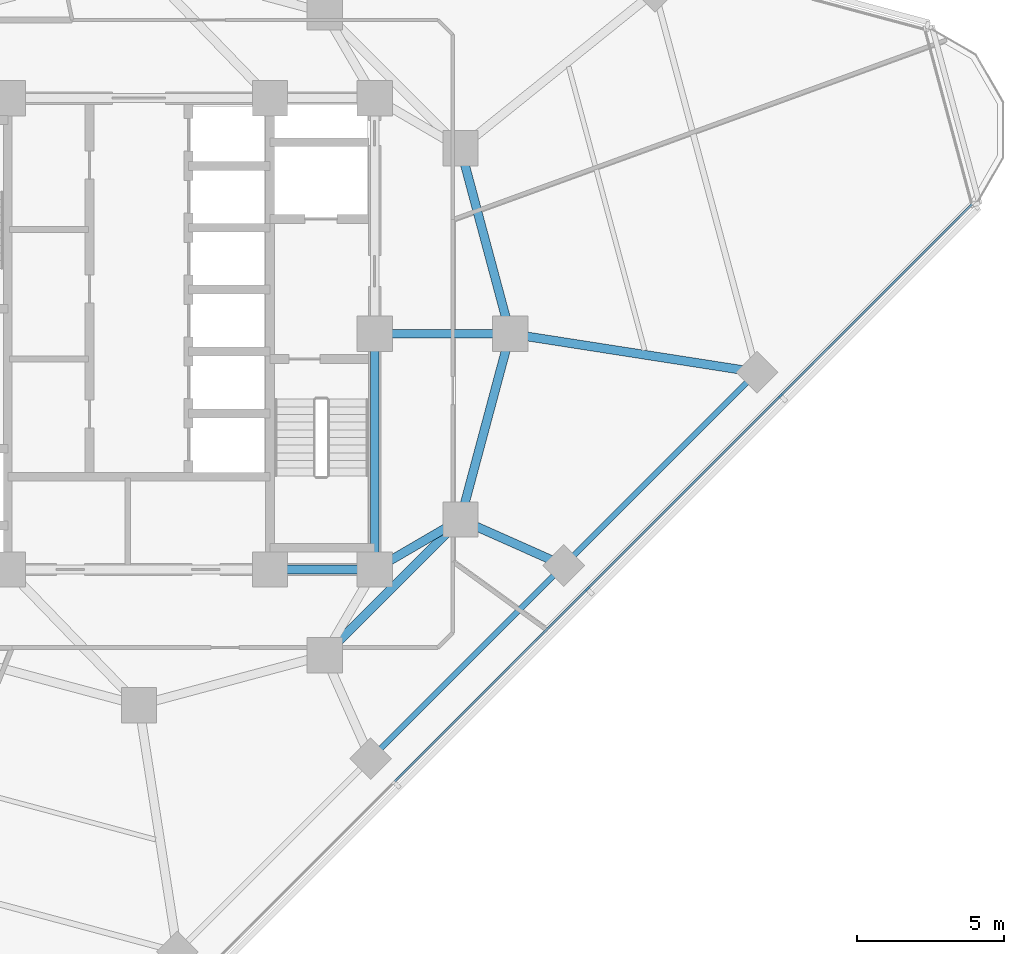
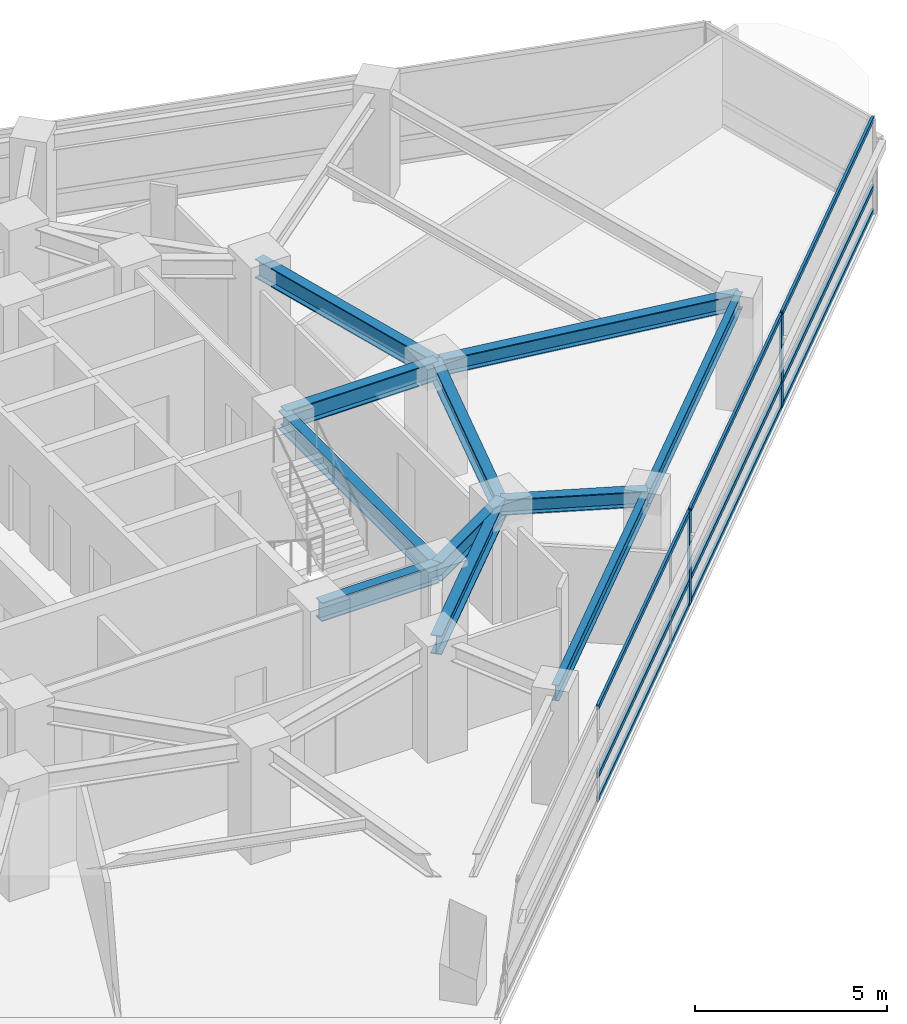
# One storey, part 3 of 13: 11 beams, 11 members, 1 element without a shape of its own.
"""IFC4 building model written with IfcOpenShell, lengths in metres."""

from ifc_helpers import new_model, si_unit, direction, frame, origin, origin_2d, place, context, subcontext, project, spatial, rectangle, i_section, extrude, material, layer, layer_set, material_profile, profile_set, type_object, element, aggregate, save


model = new_model("IFC4")

# Units and contexts
model_context = context("Model", 3, precision=1e-05, world=origin(), true_north=direction((0.0, 1.0)))
body_context = subcontext(model_context, "Body", "Model", "MODEL_VIEW")
ifc_project = project(units=[si_unit("LENGTHUNIT", "METRE"), si_unit("AREAUNIT", "SQUARE_METRE"), si_unit("VOLUMEUNIT", "CUBIC_METRE"), si_unit("PLANEANGLEUNIT", "RADIAN"), si_unit("MASSUNIT", "GRAM", prefix="KILO")], contexts=[model_context])

# Site, building, storey
site_placement = place(None, origin())
site = spatial("IfcSite", under=ifc_project, at=site_placement, CompositionType="ELEMENT")
building_placement = place(site_placement, origin())
building = spatial("IfcBuilding", under=site, at=building_placement, Name="Terralouvre Media Tower", CompositionType="ELEMENT")
storey_placement = place(building_placement, frame((0.0, 0.0, 195.300048828125)))
storey = spatial("IfcBuildingStorey", under=building, at=storey_placement, Name="L50", CompositionType="ELEMENT", Elevation=195.300048828125)

# Curtain wall, members
ifc_material_1 = material(Name="Low-iron laminated double glazing with solar-control coating", Category="glass")
ifc_layer = layer(ifc_material_1, 0.1650390625, Name="Production Studio Tower Curtain Wall CW-03")
ifc_layer_set = layer_set([ifc_layer], Name="Low-iron laminated double glazing with solar-control coating")
curtain_wall_type = type_object("IfcCurtainWallType", Name="Production Studio Tower Curtain Wall CW-03", PredefinedType="NOTDEFINED", material=ifc_layer_set)
curtain_wall_placement = place(storey_placement, origin())
curtain_wall = element("IfcCurtainWall", 1, at=curtain_wall_placement, inside=storey, type_object=curtain_wall_type, Name="L50 Facade Curtain Wall F0", PredefinedType="NOTDEFINED")
ifc_material_2 = material(Name="Anodised extruded aluminium 6063-T6", Category="aluminium")
ifc_material_profile_1 = material_profile(ifc_material_2, rectangle(XDim=0.074951171875, YDim=0.14990234375, at=origin_2d()), Name="ALU 75x150")
ifc_profile_set_1 = profile_set([ifc_material_profile_1], Name="Anodised extruded aluminium 6063-T6")
member_type_1 = type_object("IfcMemberType", Name="Curtain-Wall Horizontal Transom TR-150", PredefinedType="USERDEFINED", material=ifc_profile_set_1)
member_1_placement = place(storey_placement, frame((8.6865234375, -15.189697265625, 0.037353515625), z_axis=(0.707106781187, 0.707106781187, 0.0), x_axis=(-0.707106781187, 0.707106781187, 0.0)))
member_1 = element("IfcMember", 2, at=member_1_placement, type_object=member_type_1, Name="CW-03 transom 3.1", ObjectType="TRANSOM", PredefinedType="USERDEFINED", context=body_context, shape_type="SweptSolid", body=[
    extrude(rectangle(XDim=0.074951171875, YDim=0.14990234375, at=origin_2d()), origin(), (0.0, 0.0, 1.0), 9.19677734375),
])
member_2_placement = place(storey_placement, frame((8.6865234375, -15.189697265625, 0.800048828125), z_axis=(0.707106781187, 0.707106781187, 0.0), x_axis=(-0.707106781187, 0.707106781187, 0.0)))
member_2 = element("IfcMember", 3, at=member_2_placement, type_object=member_type_1, Name="CW-03 transom 3.2", ObjectType="TRANSOM", PredefinedType="USERDEFINED", context=body_context, shape_type="SweptSolid", body=[
    extrude(rectangle(XDim=0.074951171875, YDim=0.14990234375, at=origin_2d()), origin(), (0.0, 0.0, 1.0), 9.19677734375),
])
member_3_placement = place(storey_placement, frame((8.6865234375, -15.189697265625, 2.96240234375), z_axis=(0.707106781187, 0.707106781187, 0.0), x_axis=(-0.707106781187, 0.707106781187, 0.0)))
member_3 = element("IfcMember", 4, at=member_3_placement, type_object=member_type_1, Name="CW-03 transom 3.3", ObjectType="TRANSOM", PredefinedType="USERDEFINED", context=body_context, shape_type="SweptSolid", body=[
    extrude(rectangle(XDim=0.074951171875, YDim=0.14990234375, at=origin_2d()), origin(), (0.0, 0.0, 1.0), 9.19677734375),
])
member_4_placement = place(storey_placement, frame((15.24267578125, -8.63330078125, 0.037353515625), z_axis=(0.707120053831, 0.707093508293, 0.0), x_axis=(-0.707093508293, 0.707120053831, 0.0)))
member_4 = element("IfcMember", 5, at=member_4_placement, type_object=member_type_1, Name="CW-03 transom 4.1", ObjectType="TRANSOM", PredefinedType="USERDEFINED", context=body_context, shape_type="SweptSolid", body=[
    extrude(rectangle(XDim=0.074951171875, YDim=0.14990234375, at=origin_2d()), origin(), (0.0, 0.0, 1.0), 9.197021484375),
])
member_5_placement = place(storey_placement, frame((15.24267578125, -8.63330078125, 0.800048828125), z_axis=(0.707120053831, 0.707093508293, 0.0), x_axis=(-0.707093508293, 0.707120053831, 0.0)))
member_5 = element("IfcMember", 6, at=member_5_placement, type_object=member_type_1, Name="CW-03 transom 4.2", ObjectType="TRANSOM", PredefinedType="USERDEFINED", context=body_context, shape_type="SweptSolid", body=[
    extrude(rectangle(XDim=0.074951171875, YDim=0.14990234375, at=origin_2d()), origin(), (0.0, 0.0, 1.0), 9.197021484375),
])
member_6_placement = place(storey_placement, frame((15.24267578125, -8.63330078125, 2.96240234375), z_axis=(0.707120053831, 0.707093508293, 0.0), x_axis=(-0.707093508293, 0.707120053831, 0.0)))
member_6 = element("IfcMember", 7, at=member_6_placement, type_object=member_type_1, Name="CW-03 transom 4.3", ObjectType="TRANSOM", PredefinedType="USERDEFINED", context=body_context, shape_type="SweptSolid", body=[
    extrude(rectangle(XDim=0.074951171875, YDim=0.14990234375, at=origin_2d()), origin(), (0.0, 0.0, 1.0), 9.197021484375),
])
member_7_placement = place(storey_placement, frame((21.799072265625, -2.0771484375, 0.037353515625), z_axis=(0.707106781187, 0.707106781187, 0.0), x_axis=(-0.707106781187, 0.707106781187, 0.0)))
member_7 = element("IfcMember", 8, at=member_7_placement, type_object=member_type_1, Name="CW-03 transom 5.1", ObjectType="TRANSOM", PredefinedType="USERDEFINED", context=body_context, shape_type="SweptSolid", body=[
    extrude(rectangle(XDim=0.074951171875, YDim=0.14990234375, at=origin_2d()), origin(), (0.0, 0.0, 1.0), 9.15966796875),
])
member_8_placement = place(storey_placement, frame((21.799072265625, -2.0771484375, 0.800048828125), z_axis=(0.707106781187, 0.707106781187, 0.0), x_axis=(-0.707106781187, 0.707106781187, 0.0)))
member_8 = element("IfcMember", 9, at=member_8_placement, type_object=member_type_1, Name="CW-03 transom 5.2", ObjectType="TRANSOM", PredefinedType="USERDEFINED", context=body_context, shape_type="SweptSolid", body=[
    extrude(rectangle(XDim=0.074951171875, YDim=0.14990234375, at=origin_2d()), origin(), (0.0, 0.0, 1.0), 9.15966796875),
])
member_9_placement = place(storey_placement, frame((21.799072265625, -2.0771484375, 2.96240234375), z_axis=(0.707106781187, 0.707106781187, 0.0), x_axis=(-0.707106781187, 0.707106781187, 0.0)))
member_9 = element("IfcMember", 10, at=member_9_placement, type_object=member_type_1, Name="CW-03 transom 5.3", ObjectType="TRANSOM", PredefinedType="USERDEFINED", context=body_context, shape_type="SweptSolid", body=[
    extrude(rectangle(XDim=0.074951171875, YDim=0.14990234375, at=origin_2d()), origin(), (0.0, 0.0, 1.0), 9.15966796875),
])
ifc_material_3 = material(Name="Anodised extruded aluminium 6063-T6", Category="aluminium")
ifc_material_profile_2 = material_profile(ifc_material_3, rectangle(XDim=0.074951171875, YDim=0.179931640625, at=origin_2d()), Name="ALU 75x180")
ifc_profile_set_2 = profile_set([ifc_material_profile_2], Name="Anodised extruded aluminium 6063-T6")
member_type_2 = type_object("IfcMemberType", Name="Curtain-Wall Vertical Mullion ML-180", PredefinedType="MULLION", material=ifc_profile_set_2)
member_10_placement = place(storey_placement, frame((15.21630859375, -8.659912109375, 0.0), z_axis=(0.0, 0.0, 1.0), x_axis=(-0.707106781187, 0.707106781187, 0.0)))
member_10 = element("IfcMember", 11, at=member_10_placement, type_object=member_type_2, Name="CW-03 mullion 4", PredefinedType="MULLION", context=body_context, shape_type="SweptSolid", body=[
    extrude(rectangle(XDim=0.074951171875, YDim=0.179931640625, at=origin_2d()), origin(), (0.0, 0.0, 1.0), 3.0),
])
member_11_placement = place(storey_placement, frame((21.7724609375, -2.103515625, 0.0), z_axis=(0.0, 0.0, 1.0), x_axis=(-0.707106781187, 0.707106781187, 0.0)))
member_11 = element("IfcMember", 12, at=member_11_placement, type_object=member_type_2, Name="CW-03 mullion 5", PredefinedType="MULLION", context=body_context, shape_type="SweptSolid", body=[
    extrude(rectangle(XDim=0.074951171875, YDim=0.179931640625, at=origin_2d()), origin(), (0.0, 0.0, 1.0), 3.0),
])
aggregate(curtain_wall, [member_10, member_11, member_1, member_2, member_3, member_4, member_5, member_6, member_7, member_8, member_9])

# Beams
ifc_material_4 = material(Name="Structural steel S355J2", Category="steel")
ifc_material_profile_3 = material_profile(ifc_material_4, i_section(OverallWidth=0.199951171875, OverallDepth=0.5, WebThickness=0.01025390625, FlangeThickness=0.01611328125, at=origin_2d()), Name="IPE 500")
ifc_profile_set_3 = profile_set([ifc_material_profile_3], Name="Structural steel S355J2")
beam_type_1 = type_object("IfcBeamType", Name="Perimeter Spandrel Beam SPB-500 (IPE 500)", PredefinedType="SPANDREL", material=ifc_profile_set_3)
beam_1_placement = place(storey_placement, frame((7.86083984375, -14.417236328125, 3.25), z_axis=(0.707106781187, 0.707106781187, 0.0), x_axis=(-0.707106781187, 0.707106781187, 0.0)))
element("IfcBeam", 13, at=beam_1_placement, inside=storey, type_object=beam_type_1, Name="L50 Framing Beam BM-L50-PR04", PredefinedType="SPANDREL", context=body_context, shape_type="SweptSolid", body=[
    extrude(i_section(OverallWidth=0.199951171875, OverallDepth=0.5, WebThickness=0.01025390625, FlangeThickness=0.01611328125, at=origin_2d()), origin(), (0.0, 0.0, 1.0), 9.272216796875),
])
beam_2_placement = place(storey_placement, frame((14.417236328125, -7.86083984375, 3.25), z_axis=(0.707106781187, 0.707106781187, 0.0), x_axis=(-0.707106781187, 0.707106781187, 0.0)))
element("IfcBeam", 14, at=beam_2_placement, inside=storey, type_object=beam_type_1, Name="L50 Framing Beam BM-L50-PR05", PredefinedType="SPANDREL", context=body_context, shape_type="SweptSolid", body=[
    extrude(i_section(OverallWidth=0.199951171875, OverallDepth=0.5, WebThickness=0.01025390625, FlangeThickness=0.01611328125, at=origin_2d()), origin(), (0.0, 0.0, 1.0), 9.271728515625),
])
ifc_material_5 = material(Name="Structural steel S355J2", Category="steel")
ifc_material_profile_4 = material_profile(ifc_material_5, i_section(OverallWidth=0.300048828125, OverallDepth=0.5, WebThickness=0.014404296875, FlangeThickness=0.028076171875, at=origin_2d()), Name="HEB 500")
ifc_profile_set_4 = profile_set([ifc_material_profile_4], Name="Structural steel S355J2")
beam_type_2 = type_object("IfcBeamType", Name="Primary Floor Girder B-HEB500 (HEB 500)", PredefinedType="BEAM", material=ifc_profile_set_4)
beam_3_placement = place(storey_placement, frame((10.911865234375, -6.300048828125, 3.25), z_axis=(0.913535846257, -0.406758229915, 0.0), x_axis=(0.406758229915, 0.913535846257, 0.0)))
element("IfcBeam", 15, at=beam_3_placement, inside=storey, type_object=beam_type_2, Name="L50 Framing Beam BM-L50-RD05", PredefinedType="BEAM", context=body_context, shape_type="SweptSolid", body=[
    extrude(i_section(OverallWidth=0.300048828125, OverallDepth=0.5, WebThickness=0.014404296875, FlangeThickness=0.028076171875, at=origin_2d()), origin(), (0.0, 0.0, 1.0), 3.837158203125),
])
beam_4_placement = place(storey_placement, frame((12.60009765625, 0.0, 3.25), z_axis=(0.988077445791, -0.153957660154, 0.0), x_axis=(0.153957660154, 0.988077445791, 0.0)))
element("IfcBeam", 16, at=beam_4_placement, inside=storey, type_object=beam_type_2, Name="L50 Framing Beam BM-L50-RD06", PredefinedType="BEAM", context=body_context, shape_type="SweptSolid", body=[
    extrude(i_section(OverallWidth=0.300048828125, OverallDepth=0.5, WebThickness=0.014404296875, FlangeThickness=0.028076171875, at=origin_2d()), origin(), (0.0, 0.0, 1.0), 8.474365234375),
])
ifc_material_6 = material(Name="Structural steel S460M", Category="steel")
ifc_material_profile_5 = material_profile(ifc_material_6, i_section(OverallWidth=0.300048828125, OverallDepth=0.60009765625, WebThickness=0.015380859375, FlangeThickness=0.030029296875, at=origin_2d()), Name="HEB 600")
ifc_profile_set_5 = profile_set([ifc_material_profile_5], Name="Structural steel S460M")
beam_type_3 = type_object("IfcBeamType", Name="Primary Floor Girder B-HEB600 (HEB 600)", PredefinedType="BEAM", material=ifc_profile_set_5)
beam_5_placement = place(storey_placement, frame((4.449951171875, -8.0, 3.199951171875), z_axis=(1.0, 0.0, 0.0), x_axis=(0.0, 1.0, 0.0)))
element("IfcBeam", 17, at=beam_5_placement, inside=storey, type_object=beam_type_3, Name="L50 Framing Beam BM-L50-CPR03", PredefinedType="BEAM", context=body_context, shape_type="SweptSolid", body=[
    extrude(i_section(OverallWidth=0.300048828125, OverallDepth=0.60009765625, WebThickness=0.015380859375, FlangeThickness=0.030029296875, at=origin_2d()), origin(), (0.0, 0.0, 1.0), 3.550048828125),
])
beam_6_placement = place(storey_placement, frame((8.0, -8.0, 3.199951171875), z_axis=(0.0, 1.0, 0.0), x_axis=(-1.0, 0.0, 0.0)))
element("IfcBeam", 18, at=beam_6_placement, inside=storey, type_object=beam_type_3, Name="L50 Framing Beam BM-L50-CPR04", PredefinedType="BEAM", context=body_context, shape_type="SweptSolid", body=[
    extrude(i_section(OverallWidth=0.300048828125, OverallDepth=0.60009765625, WebThickness=0.015380859375, FlangeThickness=0.030029296875, at=origin_2d()), origin(), (0.0, 0.0, 1.0), 8.0),
])
beam_7_placement = place(storey_placement, frame((6.300048828125, -10.911865234375, 3.199951171875), z_axis=(0.707106781187, 0.707106781187, 0.0), x_axis=(-0.707106781187, 0.707106781187, 0.0)))
element("IfcBeam", 19, at=beam_7_placement, inside=storey, type_object=beam_type_3, Name="L50 Framing Beam BM-L50-MR04", PredefinedType="BEAM", context=body_context, shape_type="SweptSolid", body=[
    extrude(i_section(OverallWidth=0.300048828125, OverallDepth=0.60009765625, WebThickness=0.015380859375, FlangeThickness=0.030029296875, at=origin_2d()), origin(), (0.0, 0.0, 1.0), 6.52197265625),
])
for number, where, z_axis, x_axis, name in (
    (20, (10.911865234375, -6.300048828125, 3.199951171875), (0.258838989821, 0.965920481897, 0.0), (-0.965920481897, 0.258838989821, 0.0), "L50 Framing Beam BM-L50-MR05"),
    (21, (12.60009765625, 0.0, 3.199951171875), (-0.258838989821, 0.965920481897, 0.0), (-0.965920481897, -0.258838989821, 0.0), "L50 Framing Beam BM-L50-MR06"),
):
    element("IfcBeam", number, at=place(storey_placement, frame(where, z_axis=z_axis, x_axis=x_axis)), inside=storey, type_object=beam_type_3, Name=name, PredefinedType="BEAM", context=body_context, shape_type="SweptSolid", body=[
        extrude(i_section(OverallWidth=0.300048828125, OverallDepth=0.60009765625, WebThickness=0.015380859375, FlangeThickness=0.030029296875, at=origin_2d()), origin(), (0.0, 0.0, 1.0), 6.522216796875),
    ])
beam_8_placement = place(storey_placement, frame((8.0, -8.0, 3.199951171875), z_axis=(0.863602894532, 0.504172629717, 0.0), x_axis=(-0.504172629717, 0.863602894532, 0.0)))
element("IfcBeam", 22, at=beam_8_placement, inside=storey, type_object=beam_type_3, Name="L50 Framing Beam BM-L50-CM05", PredefinedType="BEAM", context=body_context, shape_type="SweptSolid", body=[
    extrude(i_section(OverallWidth=0.300048828125, OverallDepth=0.60009765625, WebThickness=0.015380859375, FlangeThickness=0.030029296875, at=origin_2d()), origin(), (0.0, 0.0, 1.0), 3.371826171875),
])
beam_9_placement = place(storey_placement, frame((8.0, 0.0, 3.199951171875), z_axis=(1.0, 0.0, 0.0), x_axis=(0.0, 1.0, 0.0)))
element("IfcBeam", 23, at=beam_9_placement, inside=storey, type_object=beam_type_3, Name="L50 Framing Beam BM-L50-CM06", PredefinedType="BEAM", context=body_context, shape_type="SweptSolid", body=[
    extrude(i_section(OverallWidth=0.300048828125, OverallDepth=0.60009765625, WebThickness=0.015380859375, FlangeThickness=0.030029296875, at=origin_2d()), origin(), (0.0, 0.0, 1.0), 4.60009765625),
])

save(model, "model.ifc")
